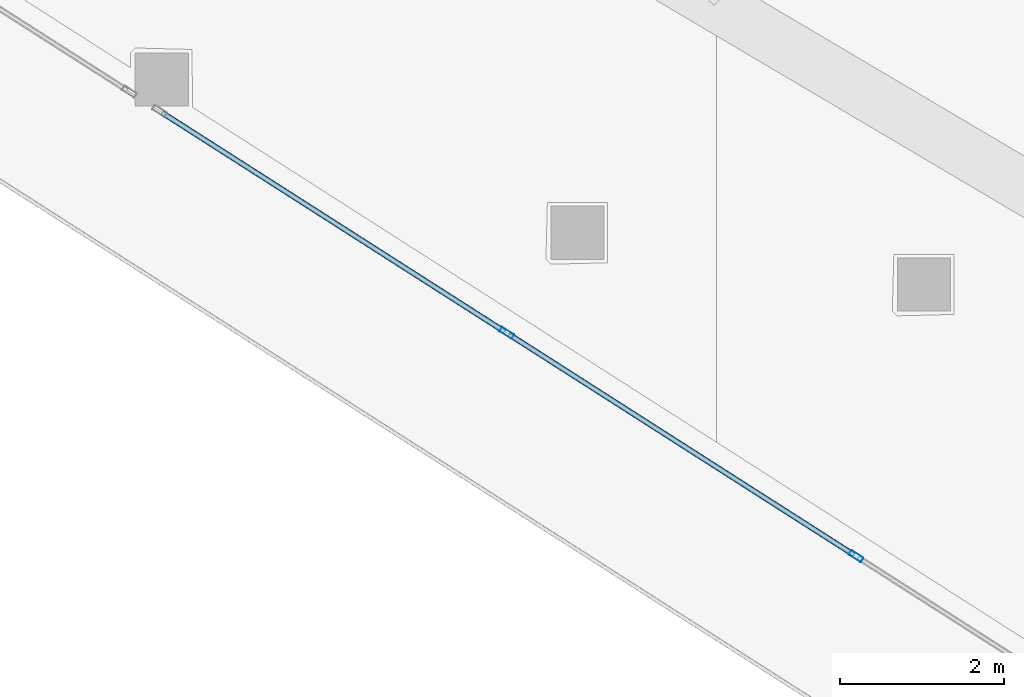
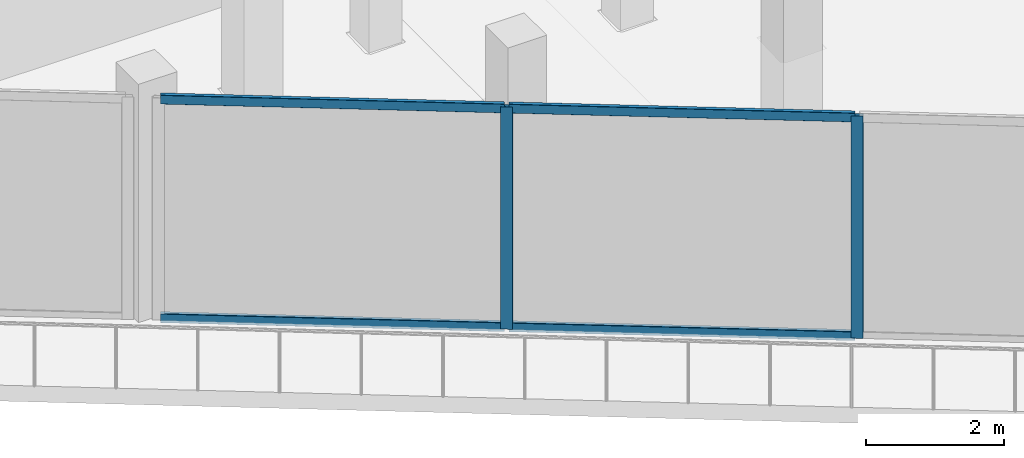
# One storey, part 2 of 42: 6 members, 1 element without a shape of its own.
"""IFC4 building model written with IfcOpenShell, lengths in metres."""

from ifc_helpers import new_model, si_unit, direction, frame, origin, origin_2d, place, context, subcontext, project, spatial, hollow_rectangle, extrude, material, layer, layer_set, material_profile, profile_set, type_object, element, aggregate, save


model = new_model("IFC4")

# Units and contexts
model_context = context("Model", 3, precision=1e-05, world=origin(), true_north=direction((0.0, 1.0)))
body_context = subcontext(model_context, "Body", "Model", "MODEL_VIEW")
ifc_project = project(units=[si_unit("LENGTHUNIT", "METRE"), si_unit("AREAUNIT", "SQUARE_METRE"), si_unit("VOLUMEUNIT", "CUBIC_METRE"), si_unit("PLANEANGLEUNIT", "RADIAN"), si_unit("MASSUNIT", "GRAM", prefix="KILO")], contexts=[model_context])

# Site, building, storey
site_placement = place(None, origin())
site = spatial("IfcSite", under=ifc_project, at=site_placement, CompositionType="ELEMENT")
building_placement = place(site_placement, origin())
building = spatial("IfcBuilding", under=site, at=building_placement, Name="Qorvath Tower", CompositionType="ELEMENT")
storey_placement = place(building_placement, frame((0.0, 0.0, 32.39990234375)))
storey = spatial("IfcBuildingStorey", under=building, at=storey_placement, Name="L06", CompositionType="ELEMENT", Elevation=32.39990234375)

# Curtain wall, members
ifc_material_1 = material(Name="Anodised aluminium and triple low-E glass", Category="aluminium")
ifc_layer = layer(ifc_material_1, 0.179931640625)
ifc_layer_set = layer_set([ifc_layer], Name="CW-SYS-2")
curtain_wall_type = type_object("IfcCurtainWallType", Name="CW-SYS-2", PredefinedType="NOTDEFINED", material=ifc_layer_set)
curtain_wall_placement = place(storey_placement, origin())
curtain_wall = element("IfcCurtainWall", 1, at=curtain_wall_placement, inside=storey, type_object=curtain_wall_type, Name="Curtain Wall CW-2 CW-T-L06-2.2", PredefinedType="NOTDEFINED")
ifc_material_2 = material(Name="Anodised aluminium 6063-T6", Category="aluminium")
ifc_material_profile_1 = material_profile(ifc_material_2, hollow_rectangle(XDim=0.06494140625, YDim=0.179931640625, WallThickness=0.00341796875, InnerFilletRadius=0.00341796875, OuterFilletRadius=0.007080078125, at=origin_2d()), Name="CWM 180x65")
ifc_profile_set_1 = profile_set([ifc_material_profile_1], Name="Anodised aluminium 6063-T6")
member_type_1 = type_object("IfcMemberType", Name="CWM-180", PredefinedType="MULLION", material=ifc_profile_set_1)
member_1_placement = place(storey_placement, frame((-36.115234375, -20.054443359375, 0.0), z_axis=(0.0, 0.0, 1.0), x_axis=(0.538532593363, 0.842604679483, 0.0)))
member_1 = element("IfcMember", 2, at=member_1_placement, type_object=member_type_1, Name="CW-2 mullion 2", PredefinedType="MULLION", context=body_context, shape_type="SweptSolid", body=[
    extrude(hollow_rectangle(XDim=0.06494140625, YDim=0.179931640625, WallThickness=0.00341796875, InnerFilletRadius=0.00341796875, OuterFilletRadius=0.007080078125, at=origin_2d()), origin(), (0.0, 0.0, 1.0), 3.920166015625),
])
member_2_placement = place(storey_placement, frame((-31.845458984375, -22.783447265625, 0.0), z_axis=(0.0, 0.0, 1.0), x_axis=(0.538532593363, 0.842604679483, 0.0)))
member_2 = element("IfcMember", 3, at=member_2_placement, type_object=member_type_1, Name="CW-2 mullion 3", PredefinedType="MULLION", context=body_context, shape_type="SweptSolid", body=[
    extrude(hollow_rectangle(XDim=0.06494140625, YDim=0.179931640625, WallThickness=0.00341796875, InnerFilletRadius=0.00341796875, OuterFilletRadius=0.007080078125, at=origin_2d()), origin(), (0.0, 0.0, 1.0), 3.920166015625),
])
ifc_material_3 = material(Name="Anodised aluminium 6063-T6", Category="aluminium")
ifc_material_profile_2 = material_profile(ifc_material_3, hollow_rectangle(XDim=0.06494140625, YDim=0.159912109375, WallThickness=0.00341796875, InnerFilletRadius=0.00341796875, OuterFilletRadius=0.007080078125, at=origin_2d()), Name="CWT 160x65")
ifc_profile_set_2 = profile_set([ifc_material_profile_2], Name="Anodised aluminium 6063-T6")
member_type_2 = type_object("IfcMemberType", Name="CWT-160", PredefinedType="USERDEFINED", material=ifc_profile_set_2)
member_3_placement = place(storey_placement, frame((-40.330078125, -17.360595703125, 0.032470703125), z_axis=(0.842589756763, -0.538555941196, 0.0), x_axis=(0.538555941196, 0.842589756763, 0.0)))
member_3 = element("IfcMember", 4, at=member_3_placement, type_object=member_type_2, Name="CW-2 transom 1.1", ObjectType="TRANSOM", PredefinedType="USERDEFINED", context=body_context, shape_type="SweptSolid", body=[
    extrude(hollow_rectangle(XDim=0.06494140625, YDim=0.159912109375, WallThickness=0.00341796875, InnerFilletRadius=0.00341796875, OuterFilletRadius=0.007080078125, at=origin_2d()), origin(), (0.0, 0.0, 1.0), 4.9697265625),
])
member_4_placement = place(storey_placement, frame((-40.330078125, -17.360595703125, 3.8876953125), z_axis=(0.842589756763, -0.538555941196, 0.0), x_axis=(0.538555941196, 0.842589756763, 0.0)))
member_4 = element("IfcMember", 5, at=member_4_placement, type_object=member_type_2, Name="CW-2 transom 1.2", ObjectType="TRANSOM", PredefinedType="USERDEFINED", context=body_context, shape_type="SweptSolid", body=[
    extrude(hollow_rectangle(XDim=0.06494140625, YDim=0.159912109375, WallThickness=0.00341796875, InnerFilletRadius=0.00341796875, OuterFilletRadius=0.007080078125, at=origin_2d()), origin(), (0.0, 0.0, 1.0), 4.9697265625),
])
member_5_placement = place(storey_placement, frame((-36.087890625, -20.072021484375, 0.032470703125), z_axis=(0.842602751758, -0.538535609528, 0.0), x_axis=(0.538535609528, 0.842602751758, 0.0)))
member_5 = element("IfcMember", 6, at=member_5_placement, type_object=member_type_2, Name="CW-2 transom 2.1", ObjectType="TRANSOM", PredefinedType="USERDEFINED", context=body_context, shape_type="SweptSolid", body=[
    extrude(hollow_rectangle(XDim=0.06494140625, YDim=0.159912109375, WallThickness=0.00341796875, InnerFilletRadius=0.00341796875, OuterFilletRadius=0.007080078125, at=origin_2d()), origin(), (0.0, 0.0, 1.0), 5.002197265625),
])
member_6_placement = place(storey_placement, frame((-36.087890625, -20.072021484375, 3.8876953125), z_axis=(0.842602751758, -0.538535609528, 0.0), x_axis=(0.538535609528, 0.842602751758, 0.0)))
member_6 = element("IfcMember", 7, at=member_6_placement, type_object=member_type_2, Name="CW-2 transom 2.2", ObjectType="TRANSOM", PredefinedType="USERDEFINED", context=body_context, shape_type="SweptSolid", body=[
    extrude(hollow_rectangle(XDim=0.06494140625, YDim=0.159912109375, WallThickness=0.00341796875, InnerFilletRadius=0.00341796875, OuterFilletRadius=0.007080078125, at=origin_2d()), origin(), (0.0, 0.0, 1.0), 5.002197265625),
])
aggregate(curtain_wall, [member_1, member_2, member_3, member_4, member_5, member_6])

save(model, "model.ifc")
